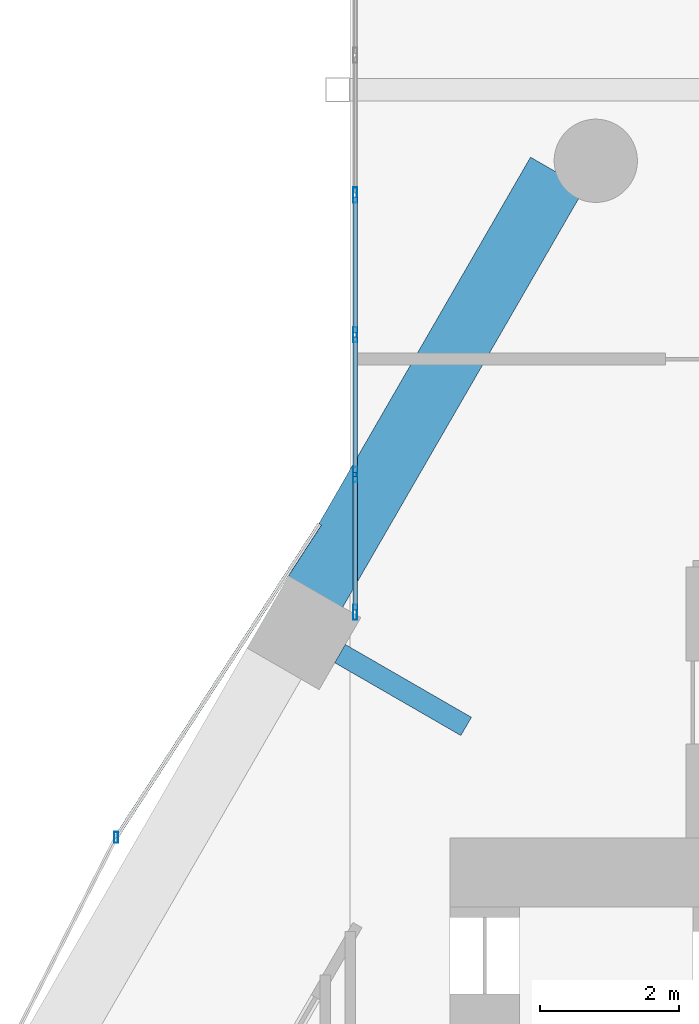
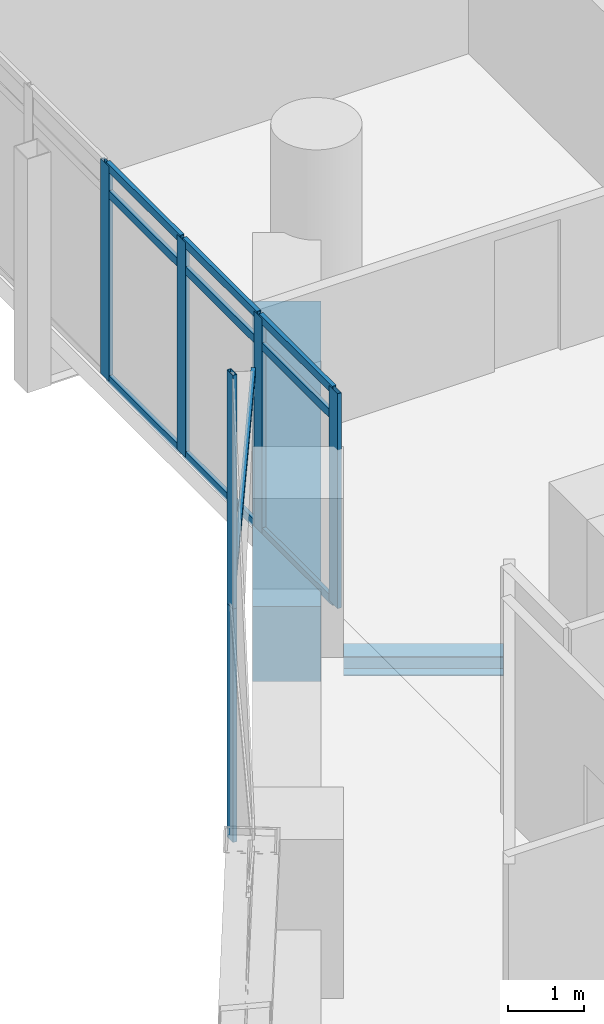
# One storey, part 15 of 36: 16 members, 2 beams, 3 elements without a shape of their own.
"""IFC4 building model written with IfcOpenShell, lengths in metres."""

import ifcopenshell
import ifcopenshell.guid

model = None  # the IFC model being written
_history = None  # IfcOwnerHistory: only IFC2X3 demands one
_inside = {}  # id of a spatial element -> (the spatial element, [elements in it])
_under = {}  # id of a project, library or spatial element -> (it, [spatial elements below it])
_declared = {}  # id of a project -> (the project, [libraries it declares])
_typed = {}  # id of a type object -> (the type object, [elements of that type])
_made_of = {}  # id of a material, layer set ... -> (it, [elements and type objects made of it])


def new_model(schema):
    """Start an empty IFC model of exactly this schema.

    Asked for "IFC4X3", IfcOpenShell would pick the latest addendum, in which some entities
    have other attributes; the version numbers below select the first issue.
    IFC2X3 requires an IfcOwnerHistory on every rooted entity: one is made here for all.
    """
    global model, _history
    if schema == "IFC4X3":
        model = ifcopenshell.file(schema_version=(4, 3, 0, 0))
    else:
        model = ifcopenshell.file(schema=schema)
    _inside.clear()
    _under.clear()
    _declared.clear()
    _typed.clear()
    _made_of.clear()
    _history = None
    if model.schema == "IFC2X3":
        org = make("IfcOrganization", Name="unknown")
        user = make(
            "IfcPersonAndOrganization",
            ThePerson=make("IfcPerson", FamilyName="unknown"),
            TheOrganization=org,
        )
        app = make(
            "IfcApplication",
            ApplicationDeveloper=org,
            Version="unknown",
            ApplicationFullName="unknown",
            ApplicationIdentifier="unknown",
        )
        _history = make(
            "IfcOwnerHistory",
            OwningUser=user,
            OwningApplication=app,
            ChangeAction="ADDED",
            CreationDate=0,
        )
    return model


def make(cls, **values):
    """One entity of the class cls with the attributes given. An attribute that is None is left unset."""
    return model.create_entity(
        cls, **{name: value for name, value in values.items() if value is not None}
    )


def rooted(cls, **values):
    """An entity with a GlobalId (a new one), such as an element, a storey or a relation."""
    return make(cls, GlobalId=ifcopenshell.guid.new(), OwnerHistory=_history, **values)


def si_unit(unit_type, name, prefix=None):
    """IfcSIUnit, for example si_unit("LENGTHUNIT", "METRE", prefix="MILLI")."""
    return make("IfcSIUnit", UnitType=unit_type, Prefix=prefix, Name=name)


def assignment(units):
    """IfcUnitAssignment: the units of a project."""
    return None if units is None else make("IfcUnitAssignment", Units=units)


def point(xyz):
    """IfcCartesianPoint."""
    return None if xyz is None else make("IfcCartesianPoint", Coordinates=xyz)


def direction(xyz):
    """IfcDirection."""
    return None if xyz is None else make("IfcDirection", DirectionRatios=xyz)


def frame(location, z_axis=None, x_axis=None):
    """IfcAxis2Placement3D, a coordinate frame: its origin and axes. An axis left out is left unset."""
    return make(
        "IfcAxis2Placement3D",
        Location=point(location),
        Axis=direction(z_axis),
        RefDirection=direction(x_axis),
    )


def frame_2d(location, x_axis=None):
    """IfcAxis2Placement2D, a coordinate frame in the plane: its origin and x axis."""
    return make(
        "IfcAxis2Placement2D", Location=point(location), RefDirection=direction(x_axis)
    )


def origin():
    """The frame at (0, 0, 0) with its axes left unset."""
    return frame((0.0, 0.0, 0.0))


def origin_2d():
    """The frame at (0, 0) in the plane with its x axis left unset."""
    return frame_2d((0.0, 0.0))


def place(relative_to, where):
    """IfcLocalPlacement: puts the frame where relative to a parent placement (None: the world)."""
    return make(
        "IfcLocalPlacement", PlacementRelTo=relative_to, RelativePlacement=where
    )


def context(
    kind, dimensions, precision=None, world=None, true_north=None, identifier=None
):
    """IfcGeometricRepresentationContext, for example the 3D "Model" context."""
    return make(
        "IfcGeometricRepresentationContext",
        ContextIdentifier=identifier,
        ContextType=kind,
        CoordinateSpaceDimension=dimensions,
        Precision=precision,
        WorldCoordinateSystem=world,
        TrueNorth=true_north,
    )


def subcontext(parent, identifier, kind, view, scale=None):
    """IfcGeometricRepresentationSubContext, for example "Body" below "Model"."""
    return make(
        "IfcGeometricRepresentationSubContext",
        ContextIdentifier=identifier,
        ContextType=kind,
        ParentContext=parent,
        TargetScale=scale,
        TargetView=view,
    )


def project(units=None, contexts=None):
    """IfcProject with its units and contexts."""
    return rooted(
        "IfcProject",
        Name="project",
        RepresentationContexts=contexts,
        UnitsInContext=assignment(units),
    )


def spatial(cls, under=None, at=None, **own):
    """A site, building, storey or space (cls), placed at a placement, below another one or the project."""
    s = rooted(cls, ObjectPlacement=at, **own)
    if under is not None:
        _under.setdefault(under.id(), (under, []))[1].append(s)
    return s


def profile(cls, at=None, kind="AREA", **sizes):
    """A parametric profile (cls). Its sizes go by their IFC names, for example OverallWidth=200.0."""
    return make(cls, ProfileType=kind, Position=at, **sizes)


def rectangle(**sizes):
    """IfcRectangleProfileDef."""
    return profile("IfcRectangleProfileDef", **sizes)


def hollow_rectangle(**sizes):
    """IfcRectangleHollowProfileDef."""
    return profile("IfcRectangleHollowProfileDef", **sizes)


def i_section(**sizes):
    """IfcIShapeProfileDef."""
    return profile("IfcIShapeProfileDef", **sizes)


def extrude(swept, where, along, depth):
    """IfcExtrudedAreaSolid: the profile swept, set in the frame where, extruded along a direction by depth."""
    return make(
        "IfcExtrudedAreaSolid",
        SweptArea=swept,
        Position=where,
        ExtrudedDirection=direction(along),
        Depth=depth,
    )


def shape(context_of_items, identifier, shape_type, items):
    """IfcShapeRepresentation: the items that make up one representation, for example the "Body"."""
    return make(
        "IfcShapeRepresentation",
        ContextOfItems=context_of_items,
        RepresentationIdentifier=identifier,
        RepresentationType=shape_type,
        Items=items,
    )


def material(Name=None, Category=None):
    """IfcMaterial."""
    return make("IfcMaterial", Name=Name, Category=Category)


def material_profile(
    of_material, cross_section, Name=None, Category=None, Priority=None
):
    """IfcMaterialProfile: a cross section and its material."""
    return make(
        "IfcMaterialProfile",
        Name=Name,
        Material=of_material,
        Profile=cross_section,
        Priority=Priority,
        Category=Category,
    )


def profile_set(profiles, Name=None, composite=None):
    """IfcMaterialProfileSet."""
    return make(
        "IfcMaterialProfileSet",
        Name=Name,
        MaterialProfiles=profiles,
        CompositeProfile=composite,
    )


def made_of(thing, what):
    """Note that an element or type object is made of a material, layer set ...; save() writes the relation."""
    if what is not None:
        _made_of.setdefault(what.id(), (what, []))[1].append(thing)
    return thing


def type_object(cls, material=None, **own):
    """A type object (cls), such as IfcWallType, which elements share."""
    return made_of(rooted(cls, **own), material)


def element(
    cls,
    number,
    at=None,
    inside=None,
    cuts=None,
    type_object=None,
    material=None,
    context=None,
    identifier="Body",
    shape_type=None,
    held_by="IfcProductDefinitionShape",
    body=None,
    shapes=None,
    **own,
):
    """One element of the class cls, such as IfcWall. Its Tag is "e" and its number.

    at: its placement. inside: the storey or other place that contains it. cuts: it is an
    opening in that element (IfcRelVoidsElement). A single representation is given by context,
    identifier, shape_type and body (its items); several are given by shapes. held_by: the class
    of the entity that holds the representations. save() writes the other relations.
    """
    e = rooted(cls, Tag="e%d" % number, ObjectPlacement=at, **own)
    if body is not None:
        shapes = [shape(context, identifier, shape_type, body)]
    if shapes is not None:
        e.Representation = make(held_by, Representations=shapes)
    if inside is not None:
        _inside.setdefault(inside.id(), (inside, []))[1].append(e)
    if cuts is not None:
        rooted(
            "IfcRelVoidsElement", RelatingBuildingElement=cuts, RelatedOpeningElement=e
        )
    if type_object is not None:
        _typed.setdefault(type_object.id(), (type_object, []))[1].append(e)
    return made_of(e, material)


def aggregate(whole, parts):
    """IfcRelAggregates: a whole, such as a stair, and the parts it consists of."""
    return rooted("IfcRelAggregates", RelatingObject=whole, RelatedObjects=parts)


def save(model, path):
    """Write the relations noted so far, then the file.

    IfcRelAggregates (storeys below a building ...), IfcRelContainedInSpatialStructure (elements
    in a storey), IfcRelDefinesByType, IfcRelAssociatesMaterial and IfcRelDeclares: one each for
    every whole, place, type object, material and project.
    """
    for whole, parts in _under.values():
        aggregate(whole, parts)
    for where, things in _inside.values():
        rooted(
            "IfcRelContainedInSpatialStructure",
            RelatedElements=things,
            RelatingStructure=where,
        )
    for kind, things in _typed.values():
        rooted("IfcRelDefinesByType", RelatedObjects=things, RelatingType=kind)
    for what, things in _made_of.values():
        rooted("IfcRelAssociatesMaterial", RelatedObjects=things, RelatingMaterial=what)
    for by, libraries in _declared.values():
        rooted("IfcRelDeclares", RelatingContext=by, RelatedDefinitions=libraries)
    model.write(path)


model = new_model("IFC4")

# Units and contexts
model_context = context("Model", 3, precision=1e-05, world=origin(), true_north=direction((0.0, 1.0)))
body_context = subcontext(model_context, "Body", "Model", "MODEL_VIEW")
ifc_project = project(units=[si_unit("LENGTHUNIT", "METRE"), si_unit("AREAUNIT", "SQUARE_METRE"), si_unit("VOLUMEUNIT", "CUBIC_METRE"), si_unit("PLANEANGLEUNIT", "RADIAN"), si_unit("MASSUNIT", "GRAM", prefix="KILO")], contexts=[model_context])

# Site, building, storey
site_placement = place(None, origin())
site = spatial("IfcSite", under=ifc_project, at=site_placement, CompositionType="ELEMENT")
building_placement = place(site_placement, origin())
building = spatial("IfcBuilding", under=site, at=building_placement, Name="Ostrander Bayou Hotel Tower", CompositionType="ELEMENT")
storey_placement = place(building_placement, frame((0.0, 0.0, 138.5)))
storey = spatial("IfcBuildingStorey", under=building, at=storey_placement, Name="L34", CompositionType="ELEMENT", Elevation=138.5)

# Curtain wall, members
ifc_material_1 = material(Name="Aluminium and clear glass", Category="aluminium")
curtain_wall_type_1 = type_object("IfcCurtainWallType", Name="CW-BAR glazed wall", PredefinedType="NOTDEFINED", material=ifc_material_1)
curtain_wall_1_placement = place(storey_placement, origin())
curtain_wall_1 = element("IfcCurtainWall", 1, at=curtain_wall_1_placement, inside=storey, type_object=curtain_wall_type_1, Name="CW-BAR L34:SB3N:E", PredefinedType="NOTDEFINED")
ifc_material_2 = material(Name="Aluminium", Category="aluminium")
ifc_material_profile_1 = material_profile(ifc_material_2, hollow_rectangle(XDim=0.06005859375, YDim=0.219970703125, WallThickness=0.00390625, at=origin_2d()))
ifc_profile_set_1 = profile_set([ifc_material_profile_1], Name="Aluminium")
member_type_1 = type_object("IfcMemberType", Name="CW-BR mullion 60 x 220 mm", PredefinedType="MULLION", material=ifc_profile_set_1)
member_1_placement = place(storey_placement, frame((-13.3671875, 12.951416015625, 0.0), z_axis=(0.0, 0.0, 1.0), x_axis=(-1.0, 0.0, 0.0)))
member_1 = element("IfcMember", 2, at=member_1_placement, type_object=member_type_1, Name="CW-BAR mullion 1", PredefinedType="MULLION", context=body_context, shape_type="SweptSolid", body=[
    extrude(hollow_rectangle(XDim=0.06005859375, YDim=0.219970703125, WallThickness=0.00390625, at=origin_2d()), origin(), (0.0, 0.0, 1.0), 3.449951171875),
])
member_2_placement = place(storey_placement, frame((-13.3671875, 14.93603515625, 0.0), z_axis=(0.0, 0.0, 1.0), x_axis=(-1.0, 0.0, 0.0)))
member_2 = element("IfcMember", 3, at=member_2_placement, type_object=member_type_1, Name="CW-BAR mullion 2", PredefinedType="MULLION", context=body_context, shape_type="SweptSolid", body=[
    extrude(hollow_rectangle(XDim=0.06005859375, YDim=0.219970703125, WallThickness=0.00390625, at=origin_2d()), origin(), (0.0, 0.0, 1.0), 3.449951171875),
])
member_3_placement = place(storey_placement, frame((-13.3671875, 16.950439453125, 0.0), z_axis=(0.0, 0.0, 1.0), x_axis=(-1.0, 0.0, 0.0)))
member_3 = element("IfcMember", 4, at=member_3_placement, type_object=member_type_1, Name="CW-BAR mullion 3", PredefinedType="MULLION", context=body_context, shape_type="SweptSolid", body=[
    extrude(hollow_rectangle(XDim=0.06005859375, YDim=0.219970703125, WallThickness=0.00390625, at=origin_2d()), origin(), (0.0, 0.0, 1.0), 3.449951171875),
])
member_4_placement = place(storey_placement, frame((-13.3671875, 18.96484375, 0.0), z_axis=(0.0, 0.0, 1.0), x_axis=(-1.0, 0.0, 0.0)))
member_4 = element("IfcMember", 5, at=member_4_placement, type_object=member_type_1, Name="CW-BAR mullion 4", PredefinedType="MULLION", context=body_context, shape_type="SweptSolid", body=[
    extrude(hollow_rectangle(XDim=0.06005859375, YDim=0.219970703125, WallThickness=0.00390625, at=origin_2d()), origin(), (0.0, 0.0, 1.0), 3.449951171875),
])
ifc_material_3 = material(Name="Aluminium", Category="aluminium")
ifc_material_profile_2 = material_profile(ifc_material_3, hollow_rectangle(XDim=0.06005859375, YDim=0.1298828125, WallThickness=0.00390625, at=origin_2d()))
ifc_profile_set_2 = profile_set([ifc_material_profile_2], Name="Aluminium")
member_type_2 = type_object("IfcMemberType", Name="CW-BR transom 60 x 130 mm", PredefinedType="USERDEFINED", material=ifc_profile_set_2)
member_5_placement = place(storey_placement, frame((-13.3671875, 12.9814453125, 0.030029296875), z_axis=(0.0, 1.0, 0.0), x_axis=(-1.0, 0.0, 0.0)))
member_5 = element("IfcMember", 6, at=member_5_placement, type_object=member_type_2, Name="CW-BAR transom 1.1", ObjectType="TRANSOM", PredefinedType="USERDEFINED", context=body_context, shape_type="SweptSolid", body=[
    extrude(hollow_rectangle(XDim=0.06005859375, YDim=0.1298828125, WallThickness=0.00390625, at=origin_2d()), origin(), (0.0, 0.0, 1.0), 1.924560546875),
])
member_6_placement = place(storey_placement, frame((-13.3671875, 12.9814453125, 3.0), z_axis=(0.0, 1.0, 0.0), x_axis=(-1.0, 0.0, 0.0)))
member_6 = element("IfcMember", 7, at=member_6_placement, type_object=member_type_2, Name="CW-BAR transom 1.2", ObjectType="TRANSOM", PredefinedType="USERDEFINED", context=body_context, shape_type="SweptSolid", body=[
    extrude(hollow_rectangle(XDim=0.06005859375, YDim=0.1298828125, WallThickness=0.00390625, at=origin_2d()), origin(), (0.0, 0.0, 1.0), 1.924560546875),
])
member_7_placement = place(storey_placement, frame((-13.3671875, 12.9814453125, 3.419921875), z_axis=(0.0, 1.0, 0.0), x_axis=(-1.0, 0.0, 0.0)))
member_7 = element("IfcMember", 8, at=member_7_placement, type_object=member_type_2, Name="CW-BAR transom 1.3", ObjectType="TRANSOM", PredefinedType="USERDEFINED", context=body_context, shape_type="SweptSolid", body=[
    extrude(hollow_rectangle(XDim=0.06005859375, YDim=0.1298828125, WallThickness=0.00390625, at=origin_2d()), origin(), (0.0, 0.0, 1.0), 1.924560546875),
])
member_8_placement = place(storey_placement, frame((-13.3671875, 14.966064453125, 0.030029296875), z_axis=(0.0, 1.0, 0.0), x_axis=(-1.0, 0.0, 0.0)))
member_8 = element("IfcMember", 9, at=member_8_placement, type_object=member_type_2, Name="CW-BAR transom 2.1", ObjectType="TRANSOM", PredefinedType="USERDEFINED", context=body_context, shape_type="SweptSolid", body=[
    extrude(hollow_rectangle(XDim=0.06005859375, YDim=0.1298828125, WallThickness=0.00390625, at=origin_2d()), origin(), (0.0, 0.0, 1.0), 1.954345703125),
])
member_9_placement = place(storey_placement, frame((-13.3671875, 14.966064453125, 3.0), z_axis=(0.0, 1.0, 0.0), x_axis=(-1.0, 0.0, 0.0)))
member_9 = element("IfcMember", 10, at=member_9_placement, type_object=member_type_2, Name="CW-BAR transom 2.2", ObjectType="TRANSOM", PredefinedType="USERDEFINED", context=body_context, shape_type="SweptSolid", body=[
    extrude(hollow_rectangle(XDim=0.06005859375, YDim=0.1298828125, WallThickness=0.00390625, at=origin_2d()), origin(), (0.0, 0.0, 1.0), 1.954345703125),
])
member_10_placement = place(storey_placement, frame((-13.3671875, 14.966064453125, 3.419921875), z_axis=(0.0, 1.0, 0.0), x_axis=(-1.0, 0.0, 0.0)))
member_10 = element("IfcMember", 11, at=member_10_placement, type_object=member_type_2, Name="CW-BAR transom 2.3", ObjectType="TRANSOM", PredefinedType="USERDEFINED", context=body_context, shape_type="SweptSolid", body=[
    extrude(hollow_rectangle(XDim=0.06005859375, YDim=0.1298828125, WallThickness=0.00390625, at=origin_2d()), origin(), (0.0, 0.0, 1.0), 1.954345703125),
])
member_11_placement = place(storey_placement, frame((-13.3671875, 16.98046875, 0.030029296875), z_axis=(0.0, 1.0, 0.0), x_axis=(-1.0, 0.0, 0.0)))
member_11 = element("IfcMember", 12, at=member_11_placement, type_object=member_type_2, Name="CW-BAR transom 3.1", ObjectType="TRANSOM", PredefinedType="USERDEFINED", context=body_context, shape_type="SweptSolid", body=[
    extrude(hollow_rectangle(XDim=0.06005859375, YDim=0.1298828125, WallThickness=0.00390625, at=origin_2d()), origin(), (0.0, 0.0, 1.0), 1.954345703125),
])
member_12_placement = place(storey_placement, frame((-13.3671875, 16.98046875, 3.0), z_axis=(0.0, 1.0, 0.0), x_axis=(-1.0, 0.0, 0.0)))
member_12 = element("IfcMember", 13, at=member_12_placement, type_object=member_type_2, Name="CW-BAR transom 3.2", ObjectType="TRANSOM", PredefinedType="USERDEFINED", context=body_context, shape_type="SweptSolid", body=[
    extrude(hollow_rectangle(XDim=0.06005859375, YDim=0.1298828125, WallThickness=0.00390625, at=origin_2d()), origin(), (0.0, 0.0, 1.0), 1.954345703125),
])
member_13_placement = place(storey_placement, frame((-13.3671875, 16.98046875, 3.419921875), z_axis=(0.0, 1.0, 0.0), x_axis=(-1.0, 0.0, 0.0)))
member_13 = element("IfcMember", 14, at=member_13_placement, type_object=member_type_2, Name="CW-BAR transom 3.3", ObjectType="TRANSOM", PredefinedType="USERDEFINED", context=body_context, shape_type="SweptSolid", body=[
    extrude(hollow_rectangle(XDim=0.06005859375, YDim=0.1298828125, WallThickness=0.00390625, at=origin_2d()), origin(), (0.0, 0.0, 1.0), 1.954345703125),
])
aggregate(curtain_wall_1, [member_1, member_2, member_3, member_4, member_5, member_6, member_7, member_8, member_9, member_10, member_11, member_12, member_13])

ifc_material_4 = material(Name="Aluminium and clear glass", Category="aluminium")
curtain_wall_type_2 = type_object("IfcCurtainWallType", Name="CW-LAT lattice glazing", PredefinedType="NOTDEFINED", material=ifc_material_4)
curtain_wall_2_placement = place(storey_placement, origin())
curtain_wall_2 = element("IfcCurtainWall", 15, at=curtain_wall_2_placement, inside=storey, type_object=curtain_wall_type_2, Name="CW-LAT L34 NW 1", PredefinedType="NOTDEFINED")
ifc_material_5 = material(Name="Aluminium", Category="aluminium")
ifc_material_profile_3 = material_profile(ifc_material_5, hollow_rectangle(XDim=0.06005859375, YDim=0.159912109375, WallThickness=0.00390625, at=origin_2d()))
ifc_profile_set_3 = profile_set([ifc_material_profile_3], Name="Aluminium")
member_type_3 = type_object("IfcMemberType", Name="CW-LA mullion 60 x 160 mm", PredefinedType="MULLION", material=ifc_profile_set_3)
member_14_placement = place(storey_placement, frame((-16.8125, 9.706787109375, -0.60009765625), z_axis=(0.0, 0.0, 1.0), x_axis=(1.0, 0.0, 0.0)))
member_14 = element("IfcMember", 16, at=member_14_placement, type_object=member_type_3, Name="CW-LAT mullion 1", PredefinedType="MULLION", context=body_context, shape_type="SweptSolid", body=[
    extrude(hollow_rectangle(XDim=0.06005859375, YDim=0.159912109375, WallThickness=0.00390625, at=origin_2d()), origin(), (0.0, 0.0, 1.0), 3.75),
])
member_15_placement = place(storey_placement, frame((-16.8125, 9.706787109375, 3.14990234375), z_axis=(0.0, 0.0, 1.0), x_axis=(1.0, 0.0, 0.0)))
member_15 = element("IfcMember", 17, at=member_15_placement, type_object=member_type_3, Name="CW-LAT mullion 2", PredefinedType="MULLION", context=body_context, shape_type="SweptSolid", body=[
    extrude(hollow_rectangle(XDim=0.06005859375, YDim=0.159912109375, WallThickness=0.00390625, at=origin_2d()), origin(), (0.0, 0.0, 1.0), 3.75),
])
aggregate(curtain_wall_2, [member_14, member_15])

# Curtain wall, member
curtain_wall_3_placement = place(storey_placement, origin())
curtain_wall_3 = element("IfcCurtainWall", 18, at=curtain_wall_3_placement, inside=storey, type_object=curtain_wall_type_2, Name="CW-LAT L34 NW 2", PredefinedType="NOTDEFINED")
ifc_material_6 = material(Name="Aluminium", Category="aluminium")
ifc_material_profile_4 = material_profile(ifc_material_6, hollow_rectangle(XDim=0.06005859375, YDim=0.1201171875, WallThickness=0.00390625, at=origin_2d()))
ifc_profile_set_4 = profile_set([ifc_material_profile_4], Name="Aluminium")
member_type_4 = type_object("IfcMemberType", Name="CW-LA transom 60 x 120 mm", PredefinedType="USERDEFINED", material=ifc_profile_set_4)
member_16_placement = place(storey_placement, frame((-16.8125, 9.706787109375, 3.14990234375), z_axis=(0.544623257182, 0.838680813979, 0.0), x_axis=(-0.838680813979, 0.544623257182, 0.0)))
member_16 = element("IfcMember", 19, at=member_16_placement, type_object=member_type_4, Name="CW-LAT transom 3", ObjectType="TRANSOM", PredefinedType="USERDEFINED", context=body_context, shape_type="SweptSolid", body=[
    extrude(hollow_rectangle(XDim=0.06005859375, YDim=0.1201171875, WallThickness=0.00390625, at=origin_2d()), origin(), (0.0, 0.0, 1.0), 5.38330078125),
])
aggregate(curtain_wall_3, [member_16])

# Beams
ifc_material_7 = material(Name="Steel ASTM A992", Category="steel")
ifc_material_profile_5 = material_profile(ifc_material_7, i_section(OverallWidth=0.3046875, OverallDepth=0.307861328125, WebThickness=0.010009765625, FlangeThickness=0.015380859375, at=origin_2d()))
ifc_profile_set_5 = profile_set([ifc_material_profile_5], Name="Steel ASTM A992")
beam_type_1 = type_object("IfcBeamType", Name="LB1 loggia bracket W12x65", PredefinedType="BEAM", material=ifc_profile_set_5)
beam_1_placement = place(storey_placement, frame((-13.586181640625, 12.35498046875, -0.453857421875), z_axis=(0.866059744384, -0.49994051562, 0.0), x_axis=(0.49994051562, 0.866059744384, 0.0)))
element("IfcBeam", 20, at=beam_1_placement, inside=storey, type_object=beam_type_1, Name="LB1 L34 NW1", PredefinedType="BEAM", context=body_context, shape_type="SweptSolid", body=[
    extrude(i_section(OverallWidth=0.3046875, OverallDepth=0.307861328125, WebThickness=0.010009765625, FlangeThickness=0.015380859375, at=origin_2d()), origin(), (0.0, 0.0, 1.0), 2.099853515625),
])
ifc_material_8 = material(Name="Concrete f'c 70 MPa", Category="concrete")
ifc_material_profile_6 = material_profile(ifc_material_8, rectangle(XDim=0.89990234375, YDim=1.199951171875, at=origin_2d()))
ifc_profile_set_6 = profile_set([ifc_material_profile_6], Name="Concrete f'c 70 MPa")
beam_type_2 = type_object("IfcBeamType", Name="SP2 spandrel beam 900 x 1200 mm f'c 70 MPa", PredefinedType="SPANDREL", material=ifc_profile_set_6)
beam_2_placement = place(storey_placement, frame((-10.450439453125, 19.286376953125, -0.60009765625), z_axis=(-0.499991127072, -0.866030526511, 0.0), x_axis=(0.866030526511, -0.499991127072, 0.0)))
element("IfcBeam", 21, at=beam_2_placement, inside=storey, type_object=beam_type_2, Name="SP2 L34 NW-1", PredefinedType="SPANDREL", context=body_context, shape_type="SweptSolid", body=[
    extrude(rectangle(XDim=0.89990234375, YDim=1.199951171875, at=origin_2d()), origin(), (0.0, 0.0, 1.0), 7.000732421875),
])

save(model, "model.ifc")
